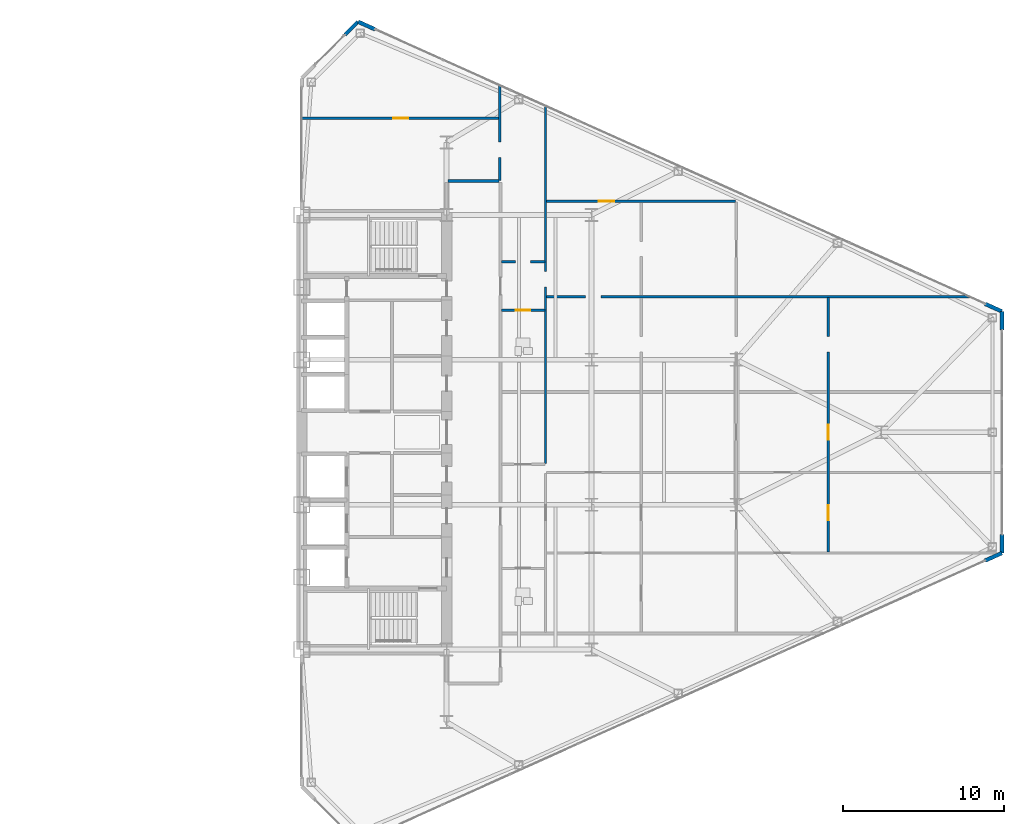
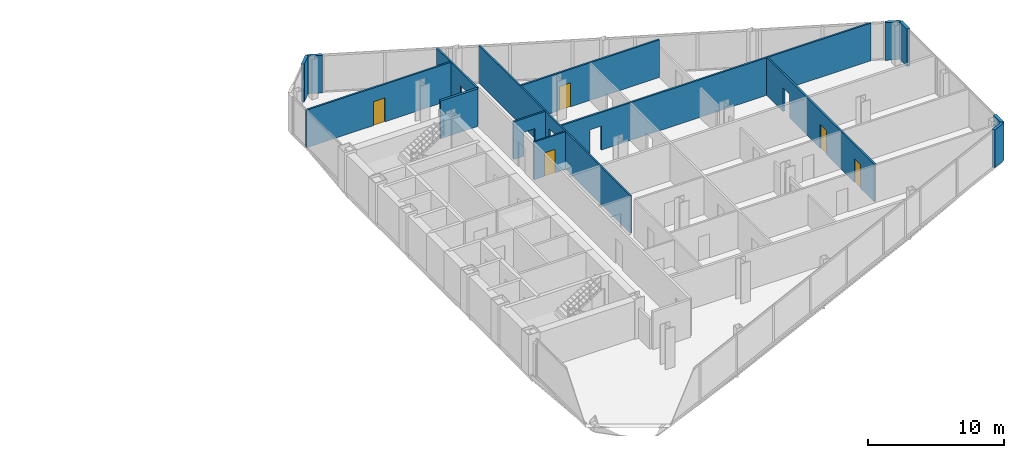
# One storey, part 24 of 27: 15 walls, 5 doors, 10 openings.
"""IFC4 building model written with IfcOpenShell, lengths in metres."""

from ifc_helpers import new_model, si_unit, direction, frame, frame_2d, origin, place, context, subcontext, project, spatial, rectangle, extrude, source, transform, mapped, material, layer, layer_set, type_object, type_shapes, element, fill, save


model = new_model("IFC4")

# Units and contexts
model_context = context("Model", 3, precision=1e-05, world=origin(), true_north=direction((0.0, 1.0)))
body_context = subcontext(model_context, "Body", "Model", "MODEL_VIEW")
ifc_project = project(units=[si_unit("LENGTHUNIT", "METRE"), si_unit("AREAUNIT", "SQUARE_METRE"), si_unit("VOLUMEUNIT", "CUBIC_METRE"), si_unit("PLANEANGLEUNIT", "RADIAN"), si_unit("MASSUNIT", "GRAM", prefix="KILO")], contexts=[model_context])

# Site, building, storey
site_placement = place(None, origin())
site = spatial("IfcSite", under=ifc_project, at=site_placement, CompositionType="ELEMENT")
building_placement = place(site_placement, origin())
building = spatial("IfcBuilding", under=site, at=building_placement, Name="Seokmaru Belvedere", CompositionType="ELEMENT")
storey_placement = place(building_placement, frame((0.0, 0.0, 92.39990234375)))
storey = spatial("IfcBuildingStorey", under=building, at=storey_placement, Name="L24", CompositionType="ELEMENT", Elevation=92.39990234375)

# Wall, opening
ifc_material_1 = material(Name="Fire-Rated Gypsum Shaftwall")
ifc_layer_1 = layer(ifc_material_1, 0.14990234375)
ifc_layer_set_1 = layer_set([ifc_layer_1], Name="Fire-Rated Gypsum Shaftwall")
wall_type_1 = type_object("IfcWallType", Name="Apartment Fire-Acoustic Room Partition 150", PredefinedType="PARTITIONING", material=ifc_layer_set_1)
wall_1_placement = place(storey_placement, frame((42.699951171875, 8.419921875, 0.0), z_axis=(0.0, 0.0, 1.0), x_axis=(1.0, 0.0, 0.0)))
wall_1 = element("IfcWall", 1, at=wall_1_placement, inside=storey, type_object=wall_type_1, Name="L24 Interior Partition 020", PredefinedType="PARTITIONING", context=body_context, shape_type="SweptSolid", body=[
    extrude(rectangle(XDim=26.2919921875, YDim=0.14990234375, at=frame_2d((13.14599609375, 0.0))), origin(), (0.0, 0.0, 1.0), 3.380126953125),
])
opening_1_placement = place(wall_1_placement, frame((2.4375, 0.0, 0.0)))
element("IfcOpeningElement", 2, at=opening_1_placement, cuts=wall_1, Name="L24 Cased Opening 053", PredefinedType="OPENING", context=body_context, shape_type="SweptSolid", body=[
    extrude(rectangle(XDim=0.949951171875, YDim=2.14990234375, at=frame_2d((0.47509765625, 1.074951171875))), frame((0.0, 0.0849609375, 0.0), z_axis=(0.0, -1.0, 0.0), x_axis=(1.0, 0.0, 0.0)), (0.0, 0.0, 1.0), 0.169921875),
])

wall_2_placement = place(storey_placement, frame((39.89990234375, 10.580078125, 0.0), z_axis=(0.0, 0.0, 1.0), x_axis=(1.0, 0.0, 0.0)))
wall_2 = element("IfcWall", 3, at=wall_2_placement, inside=storey, type_object=wall_type_1, Name="L24 Interior Partition 022", PredefinedType="PARTITIONING", context=body_context, shape_type="SweptSolid", body=[
    extrude(rectangle(XDim=2.7001953125, YDim=0.14990234375, at=frame_2d((1.35009765625, 0.0))), origin(), (0.0, 0.0, 1.0), 3.380126953125),
])
opening_2_placement = place(wall_2_placement, frame((0.875, 0.0, 0.0)))
element("IfcOpeningElement", 4, at=opening_2_placement, cuts=wall_2, Name="L24 Cased Opening 051", PredefinedType="OPENING", context=body_context, shape_type="SweptSolid", body=[
    extrude(rectangle(XDim=0.949951171875, YDim=2.14990234375, at=frame_2d((0.47509765625, 1.074951171875))), frame((0.0, 0.0849609375, 0.0), z_axis=(0.0, -1.0, 0.0), x_axis=(1.0, 0.0, 0.0)), (0.0, 0.0, 1.0), 0.169921875),
])

# Wall, opening, door
wall_3_placement = place(storey_placement, frame((42.699951171875, 14.340087890625, 0.0), z_axis=(0.0, 0.0, 1.0), x_axis=(1.0, 0.0, 0.0)))
wall_3 = element("IfcWall", 5, at=wall_3_placement, inside=storey, type_object=wall_type_1, Name="L24 Interior Partition 026", PredefinedType="PARTITIONING", context=body_context, shape_type="SweptSolid", body=[
    extrude(rectangle(XDim=11.75, YDim=0.14990234375, at=frame_2d((5.875, 0.0))), origin(), (0.0, 0.0, 1.0), 3.380126953125),
])
opening_3_placement = place(wall_3_placement, frame((3.255126953125, 0.0, 0.0)))
opening_3 = element("IfcOpeningElement", 6, at=opening_3_placement, cuts=wall_3, Name="Opening D05", PredefinedType="OPENING", context=body_context, shape_type="SweptSolid", body=[
    extrude(rectangle(XDim=0.949951171875, YDim=2.14990234375, at=frame_2d((0.47509765625, 1.074951171875))), frame((0.0, 0.0849609375, 0.0), z_axis=(0.0, -1.0, 0.0), x_axis=(1.0, 0.0, 0.0)), (0.0, 0.0, 1.0), 0.169921875),
])
ifc_material_2 = material(Name="Engineered White Oak Timber", Category="wood")
door_type_1 = type_object("IfcDoorType", Name="Apartment Interior Fire-Rated Oak Door 950x2150", OperationType="NOTDEFINED", PredefinedType="DOOR", material=ifc_material_2)
shared_shape_1 = source(origin(), body_context, "Body", "SweptSolid", [
    extrude(rectangle(XDim=0.949951171875, YDim=2.14990234375, at=frame_2d((0.47509765625, 1.074951171875))), frame((0.0, 0.02490234375, 0.0), z_axis=(0.0, -1.0, 0.0), x_axis=(1.0, 0.0, 0.0)), (0.0, 0.0, 1.0), 0.050048828125),
])
type_shapes(door_type_1, [shared_shape_1])
door_1_placement = place(opening_3_placement, origin())
door_1 = element("IfcDoor", 7, at=door_1_placement, inside=storey, type_object=door_type_1, Name="L24 Interior Door 055", OperationType="SINGLE_SWING_LEFT", OverallHeight=2.14990234375, OverallWidth=0.949951171875, PredefinedType="DOOR", context=body_context, shape_type="MappedRepresentation", body=[
    mapped(shared_shape_1, transform((0.0, 0.0, 0.0), scale=1.0)),
])
fill(opening_3, door_1)

wall_4_placement = place(storey_placement, frame((27.465087890625, 19.5, 0.0), z_axis=(0.0, 0.0, 1.0), x_axis=(1.0, 0.0, 0.0)))
wall_4 = element("IfcWall", 8, at=wall_4_placement, inside=storey, type_object=wall_type_1, Name="L24 Interior Partition 031", PredefinedType="PARTITIONING", context=body_context, shape_type="SweptSolid", body=[
    extrude(rectangle(XDim=12.284912109375, YDim=0.14990234375, at=frame_2d((6.142578125, 0.0))), origin(), (0.0, 0.0, 1.0), 3.380126953125),
])
opening_4_placement = place(wall_4_placement, frame((5.7099609375, 0.0, 0.0)))
opening_4 = element("IfcOpeningElement", 9, at=opening_4_placement, cuts=wall_4, Name="Opening D05", PredefinedType="OPENING", context=body_context, shape_type="SweptSolid", body=[
    extrude(rectangle(XDim=0.949951171875, YDim=2.14990234375, at=frame_2d((0.47509765625, 1.074951171875))), frame((0.0, 0.0849609375, 0.0), z_axis=(0.0, -1.0, 0.0), x_axis=(1.0, 0.0, 0.0)), (0.0, 0.0, 1.0), 0.169921875),
])
door_2_placement = place(opening_4_placement, origin())
door_2 = element("IfcDoor", 10, at=door_2_placement, inside=storey, type_object=door_type_1, Name="L24 Interior Door 061", OperationType="SINGLE_SWING_LEFT", OverallHeight=2.14990234375, OverallWidth=0.949951171875, PredefinedType="DOOR", context=body_context, shape_type="MappedRepresentation", body=[
    mapped(shared_shape_1, transform((0.0, 0.0, 0.0), scale=1.0)),
])
fill(opening_4, door_2)

# Wall, opening
wall_5_placement = place(storey_placement, frame((39.800048828125, 15.64990234375, 0.0), z_axis=(0.0, 0.0, 1.0), x_axis=(0.0, 1.0, 0.0)))
wall_5 = element("IfcWall", 11, at=wall_5_placement, inside=storey, type_object=wall_type_1, Name="L24 Interior Partition 045", PredefinedType="PARTITIONING", context=body_context, shape_type="SweptSolid", body=[
    extrude(rectangle(XDim=5.925048828125, YDim=0.14990234375, at=frame_2d((2.96240234375, 0.0))), origin(), (0.0, 0.0, 1.0), 3.380126953125),
])
opening_5_placement = place(wall_5_placement, frame((1.425048828125, 0.0, 0.0)))
element("IfcOpeningElement", 12, at=opening_5_placement, cuts=wall_5, Name="L24 Cased Opening 060", PredefinedType="OPENING", context=body_context, shape_type="SweptSolid", body=[
    extrude(rectangle(XDim=0.949951171875, YDim=2.14990234375, at=frame_2d((0.47509765625, 1.074951171875))), frame((0.0, 0.0849609375, 0.0), z_axis=(0.0, -1.0, 0.0), x_axis=(1.0, 0.0, 0.0)), (0.0, 0.0, 1.0), 0.169921875),
])

# Wall, openings, doors
wall_6_placement = place(storey_placement, frame((60.199951171875, -7.449951171875, 0.0), z_axis=(0.0, 0.0, 1.0), x_axis=(0.0, 1.0, 0.0)))
wall_6 = element("IfcWall", 13, at=wall_6_placement, inside=storey, type_object=wall_type_1, Name="L24 Interior Partition 051", PredefinedType="PARTITIONING", context=body_context, shape_type="SweptSolid", body=[
    extrude(rectangle(XDim=15.81884765625, YDim=0.14990234375, at=frame_2d((7.909423828125, 0.0))), origin(), (0.0, 0.0, 1.0), 3.380126953125),
])
opening_6_placement = place(wall_6_placement, frame((1.97509765625, 0.0, 0.0)))
opening_6 = element("IfcOpeningElement", 14, at=opening_6_placement, cuts=wall_6, Name="Opening D05", PredefinedType="OPENING", context=body_context, shape_type="SweptSolid", body=[
    extrude(rectangle(XDim=0.949951171875, YDim=2.14990234375, at=frame_2d((0.47509765625, 1.074951171875))), frame((0.0, 0.0849609375, 0.0), z_axis=(0.0, -1.0, 0.0), x_axis=(1.0, 0.0, 0.0)), (0.0, 0.0, 1.0), 0.169921875),
])
opening_7_placement = place(wall_6_placement, frame((6.97509765625, 0.0, 0.0)))
opening_7 = element("IfcOpeningElement", 15, at=opening_7_placement, cuts=wall_6, Name="Opening D05", PredefinedType="OPENING", context=body_context, shape_type="SweptSolid", body=[
    extrude(rectangle(XDim=0.949951171875, YDim=2.14990234375, at=frame_2d((0.47509765625, 1.074951171875))), frame((0.0, 0.0849609375, 0.0), z_axis=(0.0, -1.0, 0.0), x_axis=(1.0, 0.0, 0.0)), (0.0, 0.0, 1.0), 0.169921875),
])
opening_8_placement = place(wall_6_placement, frame((12.4345703125, 0.0, 0.0)))
element("IfcOpeningElement", 16, at=opening_8_placement, cuts=wall_6, Name="L24 Cased Opening 059", PredefinedType="OPENING", context=body_context, shape_type="SweptSolid", body=[
    extrude(rectangle(XDim=0.949951171875, YDim=2.14990234375, at=frame_2d((0.47509765625, 1.074951171875))), frame((0.0, 0.0849609375, 0.0), z_axis=(0.0, -1.0, 0.0), x_axis=(1.0, 0.0, 0.0)), (0.0, 0.0, 1.0), 0.169921875),
])
door_3_placement = place(opening_6_placement, origin())
door_3 = element("IfcDoor", 17, at=door_3_placement, inside=storey, type_object=door_type_1, Name="L24 Interior Door 044", OperationType="SINGLE_SWING_LEFT", OverallHeight=2.14990234375, OverallWidth=0.949951171875, PredefinedType="DOOR", context=body_context, shape_type="MappedRepresentation", body=[
    mapped(shared_shape_1, transform((0.0, 0.0, 0.0), scale=1.0)),
])
fill(opening_6, door_3)
door_4_placement = place(opening_7_placement, origin())
door_4 = element("IfcDoor", 18, at=door_4_placement, inside=storey, type_object=door_type_1, Name="L24 Interior Door 046", OperationType="SINGLE_SWING_LEFT", OverallHeight=2.14990234375, OverallWidth=0.949951171875, PredefinedType="DOOR", context=body_context, shape_type="MappedRepresentation", body=[
    mapped(shared_shape_1, transform((0.0, 0.0, 0.0), scale=1.0)),
])
fill(opening_7, door_4)

# Wall
ifc_layer_2 = layer(ifc_material_1, 0.199951171875)
ifc_layer_set_2 = layer_set([ifc_layer_2], Name="Fire-Rated Gypsum Shaftwall")
wall_type_2 = type_object("IfcWallType", Name="Inter-Tenancy Fire Compartment Partition 200", PredefinedType="PARTITIONING", material=ifc_layer_set_2)
wall_7_placement = place(storey_placement, frame((36.5849609375, 15.60009765625, 0.0), z_axis=(0.0, 0.0, 1.0), x_axis=(1.0, 0.0, 0.0)))
element("IfcWall", 19, at=wall_7_placement, inside=storey, type_object=wall_type_2, Name="L24 Interior Partition 028", PredefinedType="PARTITIONING", context=body_context, shape_type="SweptSolid", body=[
    extrude(rectangle(XDim=3.179931640625, YDim=0.199951171875, at=frame_2d((1.58984375, 0.0))), origin(), (0.0, 0.0, 1.0), 3.380126953125),
])

# Wall, opening, door
ifc_layer_3 = layer(ifc_material_1, 0.1298828125)
ifc_layer_set_3 = layer_set([ifc_layer_3], Name="Fire-Rated Gypsum Shaftwall")
wall_type_3 = type_object("IfcWallType", Name="Moisture-Resistant Fire-Rated Bathroom Partition 130", PredefinedType="PARTITIONING", material=ifc_layer_set_3)
wall_8_placement = place(storey_placement, frame((39.89990234375, 7.580078125, 0.0), z_axis=(0.0, 0.0, 1.0), x_axis=(1.0, 0.0, 0.0)))
wall_8 = element("IfcWall", 20, at=wall_8_placement, inside=storey, type_object=wall_type_3, Name="L24 Interior Partition 019", PredefinedType="PARTITIONING", context=body_context, shape_type="SweptSolid", body=[
    extrude(rectangle(XDim=2.7001953125, YDim=0.1298828125, at=frame_2d((1.35009765625, 0.0))), origin(), (0.0, 0.0, 1.0), 3.380126953125),
])
opening_9_placement = place(wall_8_placement, frame((0.909912109375, 0.0, 0.0)))
opening_9 = element("IfcOpeningElement", 21, at=opening_9_placement, cuts=wall_8, Name="Opening D06", PredefinedType="OPENING", context=body_context, shape_type="SweptSolid", body=[
    extrude(rectangle(XDim=0.8798828125, YDim=2.10009765625, at=frame_2d((0.43994140625, 1.050048828125))), frame((0.0, 0.074951171875, 0.0), z_axis=(0.0, -1.0, 0.0), x_axis=(1.0, 0.0, 0.0)), (0.0, 0.0, 1.0), 0.14990234375),
])
door_type_2 = type_object("IfcDoorType", Name="Bathroom and Restroom Fire-Rated Door 880x2100", OperationType="NOTDEFINED", PredefinedType="DOOR", material=ifc_material_2)
shared_shape_2 = source(origin(), body_context, "Body", "SweptSolid", [
    extrude(rectangle(XDim=0.8798828125, YDim=2.10009765625, at=frame_2d((0.43994140625, 1.050048828125))), frame((0.0, 0.02490234375, 0.0), z_axis=(0.0, -1.0, 0.0), x_axis=(1.0, 0.0, 0.0)), (0.0, 0.0, 1.0), 0.050048828125),
])
type_shapes(door_type_2, [shared_shape_2])
door_5_placement = place(opening_9_placement, origin())
door_5 = element("IfcDoor", 22, at=door_5_placement, inside=storey, type_object=door_type_2, Name="L24 Interior Door 050", OperationType="SINGLE_SWING_RIGHT", OverallHeight=2.10009765625, OverallWidth=0.8798828125, PredefinedType="DOOR", context=body_context, shape_type="MappedRepresentation", body=[
    mapped(shared_shape_2, transform((0.0, 0.0, 0.0), scale=1.0)),
])
fill(opening_9, door_5)

# Wall, opening
wall_9_placement = place(storey_placement, frame((42.64990234375, -1.947998046875, 0.0), z_axis=(0.0, 0.0, 1.0), x_axis=(0.0, 1.0, 0.0)))
wall_9 = element("IfcWall", 23, at=wall_9_placement, inside=storey, type_object=wall_type_3, Name="L24 Interior Partition 048", PredefinedType="PARTITIONING", context=body_context, shape_type="SweptSolid", body=[
    extrude(rectangle(XDim=22.240966796875, YDim=0.1298828125, at=frame_2d((11.12060546875, 0.0))), origin(), (0.0, 0.0, 1.0), 3.380126953125),
])
opening_10_placement = place(wall_9_placement, frame((10.971435546875, 0.0, 0.0)))
element("IfcOpeningElement", 24, at=opening_10_placement, cuts=wall_9, Name="L24 Cased Opening 052", PredefinedType="OPENING", context=body_context, shape_type="SweptSolid", body=[
    extrude(rectangle(XDim=0.949951171875, YDim=2.14990234375, at=frame_2d((0.47509765625, 1.074951171875))), frame((0.0, 0.074951171875, 0.0), z_axis=(0.0, -1.0, 0.0), x_axis=(1.0, 0.0, 0.0)), (0.0, 0.0, 1.0), 0.14990234375),
])

# Walls
ifc_material_3 = material(Name="Anodised Bronze Aluminium", Category="aluminium")
ifc_layer_4 = layer(ifc_material_3, 0.239990234375)
ifc_layer_set_4 = layer_set([ifc_layer_4], Name="Anodised Bronze Aluminium")
wall_type_4 = type_object("IfcWallType", Name="Tower Corner Spandrel Closure Wall 240", PredefinedType="SOLIDWALL", material=ifc_layer_set_4)
for number, where, z_axis, x_axis, name in (
    (25, (69.951416015625, -7.971923828125, 0.0), (0.0, 0.0, 1.0), (0.911929519623, 0.410346866979, 0.0), "L24 E Corner Closure Pier 1B"),
    (26, (71.0, -7.489990234375, 0.0), (0.0, 0.0, 1.0), (0.0, 1.0, 0.0), "L24 E Corner Closure Pier 2A"),
    (27, (71.0, 6.35009765625, 0.0), (0.0, 0.0, 1.0), (0.0, 1.0, 0.0), "L24 E Corner Closure Pier 2B"),
    (28, (70.990966796875, 7.504150390625, 0.0), (0.0, 0.0, 1.0), (-0.911929519623, 0.410346866979, 0.0), "L24 E Corner Closure Pier 3A"),
    (29, (32.048583984375, 25.028076171875, 0.0), (0.0, 0.0, 1.0), (-0.911929519623, 0.410346866979, 0.0), "L24 E Corner Closure Pier 3B"),
):
    element("IfcWall", number, at=place(storey_placement, frame(where, z_axis=z_axis, x_axis=x_axis)), inside=storey, type_object=wall_type_4, Name=name, PredefinedType="SOLIDWALL", context=body_context, shape_type="SweptSolid", body=[
        extrude(rectangle(XDim=1.139892578125, YDim=0.239990234375, at=frame_2d((0.56982421875, 0.0))), origin(), (0.0, 0.0, 1.0), 3.380126953125),
    ])
wall_10_placement = place(storey_placement, frame((30.992919921875, 25.492919921875, 0.0), z_axis=(0.0, 0.0, 1.0), x_axis=(-0.707106781187, -0.707106781187, 0.0)))
element("IfcWall", 30, at=wall_10_placement, inside=storey, type_object=wall_type_4, Name="L24 E Corner Closure Pier 4A", PredefinedType="SOLIDWALL", context=body_context, shape_type="SweptSolid", body=[
    extrude(rectangle(XDim=1.14013671875, YDim=0.239990234375, at=frame_2d((0.570068359375, 0.0))), origin(), (0.0, 0.0, 1.0), 3.380126953125),
])

save(model, "model.ifc")
